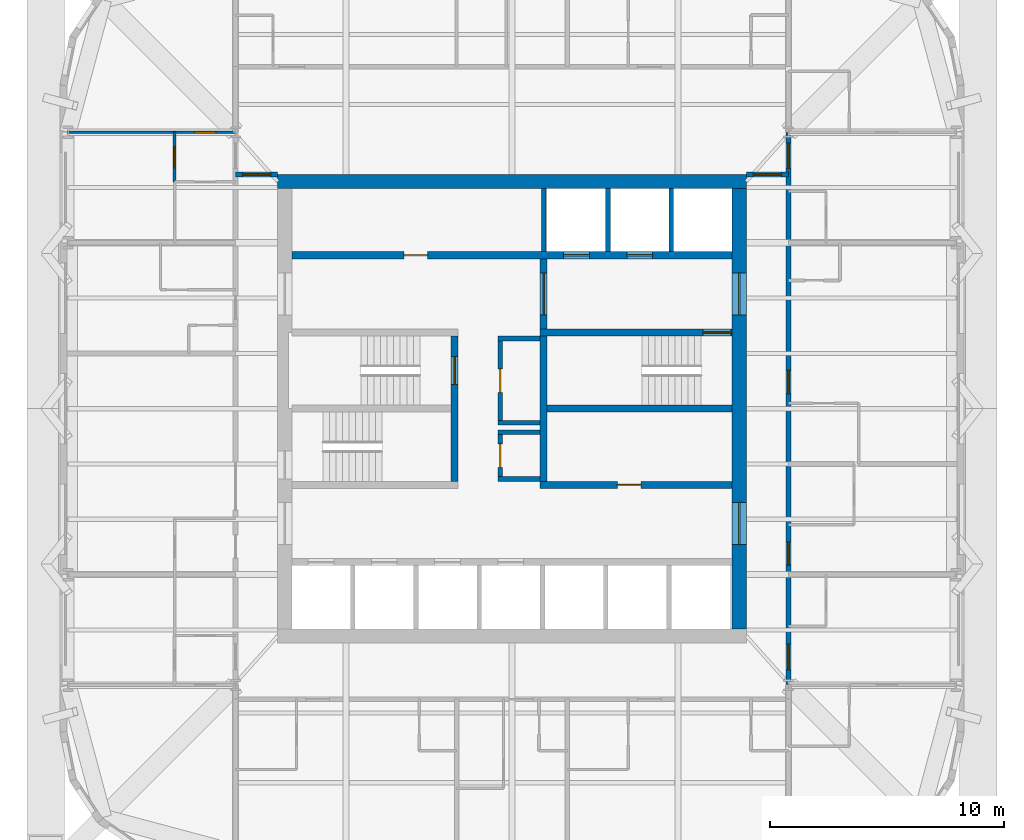
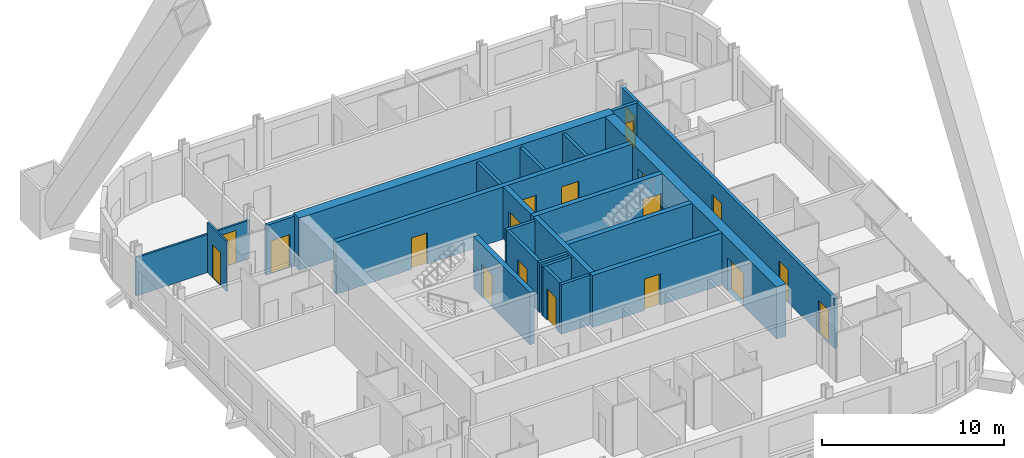
# One storey, part 5 of 9: 22 walls, 19 doors, 19 openings.
"""IFC4 building model written with IfcOpenShell, lengths in metres."""

from ifc_helpers import new_model, si_unit, direction, frame, frame_2d, origin, place, context, subcontext, project, spatial, rectangle, extrude, material, layer, layer_set, type_object, element, fill, save


model = new_model("IFC4")

# Units and contexts
model_context = context("Model", 3, precision=1e-05, world=origin(), true_north=direction((0.0, 1.0)))
body_context = subcontext(model_context, "Body", "Model", "MODEL_VIEW")
ifc_project = project(units=[si_unit("LENGTHUNIT", "METRE"), si_unit("AREAUNIT", "SQUARE_METRE"), si_unit("VOLUMEUNIT", "CUBIC_METRE"), si_unit("PLANEANGLEUNIT", "RADIAN"), si_unit("MASSUNIT", "GRAM", prefix="KILO")], contexts=[model_context])

# Site, building, storey
site_placement = place(None, origin())
site = spatial("IfcSite", under=ifc_project, at=site_placement, CompositionType="ELEMENT")
building_placement = place(site_placement, origin())
building = spatial("IfcBuilding", under=site, at=building_placement, Name="Turquesa Mirador Hotel Tower", CompositionType="ELEMENT")
storey_placement = place(building_placement, frame((0.0, 0.0, 161.800048828125)))
storey = spatial("IfcBuildingStorey", under=building, at=storey_placement, Name="L43", CompositionType="ELEMENT", Elevation=161.800048828125)

# Wall, openings, doors
ifc_material_1 = material(Name="Concrete C50/60", Category="concrete")
ifc_layer_1 = layer(ifc_material_1, 0.300048828125)
ifc_layer_set_1 = layer_set([ifc_layer_1], Name="CORE INNER WALL 300")
wall_type_1 = type_object("IfcWallType", Name="CORE INNER WALL 300", PredefinedType="SHEAR", material=ifc_layer_set_1)
wall_1_placement = place(storey_placement, frame((45.60009765625, 51.550048828125, 0.0), z_axis=(0.0, 0.0, 1.0), x_axis=(1.0, 0.0, 0.0)))
wall_1 = element("IfcWall", 1, at=wall_1_placement, inside=storey, type_object=wall_type_1, Name="Core wall NL", PredefinedType="SHEAR", context=body_context, shape_type="SweptSolid", body=[
    extrude(rectangle(XDim=18.7998046875, YDim=0.300048828125, at=frame_2d((9.39990234375, 0.0))), origin(), (0.0, 0.0, 1.0), 3.5),
])
opening_1_placement = place(wall_1_placement, frame((4.800048828125, 0.0, 0.0)))
opening_1 = element("IfcOpeningElement", 2, at=opening_1_placement, cuts=wall_1, Name="Opening D05", PredefinedType="OPENING", context=body_context, shape_type="SweptSolid", body=[
    extrude(rectangle(XDim=1.0, YDim=2.10009765625, at=frame_2d((0.5, 1.050048828125))), frame((0.0, 0.159912109375, 0.0), z_axis=(0.0, -1.0, 0.0), x_axis=(1.0, 0.0, 0.0)), (0.0, 0.0, 1.0), 0.320068359375),
])
opening_2_placement = place(wall_1_placement, frame((11.60009765625, 0.0, 0.0)))
opening_2 = element("IfcOpeningElement", 3, at=opening_2_placement, cuts=wall_1, Name="Opening LD", PredefinedType="OPENING", context=body_context, shape_type="SweptSolid", body=[
    extrude(rectangle(XDim=1.10009765625, YDim=2.199951171875, at=frame_2d((0.550048828125, 1.10009765625))), frame((0.0, 0.159912109375, 0.0), z_axis=(0.0, -1.0, 0.0), x_axis=(1.0, 0.0, 0.0)), (0.0, 0.0, 1.0), 0.320068359375),
])
opening_3_placement = place(wall_1_placement, frame((14.300048828125, 0.0, 0.0)))
opening_3 = element("IfcOpeningElement", 4, at=opening_3_placement, cuts=wall_1, Name="Opening LD", PredefinedType="OPENING", context=body_context, shape_type="SweptSolid", body=[
    extrude(rectangle(XDim=1.10009765625, YDim=2.199951171875, at=frame_2d((0.550048828125, 1.10009765625))), frame((0.0, 0.159912109375, 0.0), z_axis=(0.0, -1.0, 0.0), x_axis=(1.0, 0.0, 0.0)), (0.0, 0.0, 1.0), 0.320068359375),
])
ifc_material_2 = material(Name="Steel fire door", Category="steel")
door_type_1 = type_object("IfcDoorType", Name="DOOR 1000X2100 SERVICE", OperationType="SINGLE_SWING_LEFT", PredefinedType="DOOR", material=ifc_material_2)
door_1_placement = place(opening_1_placement, origin())
door_1 = element("IfcDoor", 5, at=door_1_placement, inside=storey, type_object=door_type_1, Name="Linen store door", OperationType="SINGLE_SWING_LEFT", OverallHeight=2.10009765625, OverallWidth=1.0, PredefinedType="DOOR", context=body_context, shape_type="SweptSolid", body=[
    extrude(rectangle(XDim=1.0, YDim=2.10009765625, at=frame_2d((0.5, 1.050048828125))), frame((0.0, 0.02490234375, 0.0), z_axis=(0.0, -1.0, 0.0), x_axis=(1.0, 0.0, 0.0)), (0.0, 0.0, 1.0), 0.050048828125),
])
fill(opening_1, door_1)
ifc_material_3 = material(Name="Stainless steel lift landing door", Category="steel")
door_type_2 = type_object("IfcDoorType", Name="LIFT LANDING DOOR 1100X2200", OperationType="SLIDING_TO_LEFT", PredefinedType="DOOR", material=ifc_material_3)
door_2_placement = place(opening_2_placement, origin())
door_2 = element("IfcDoor", 6, at=door_2_placement, inside=storey, type_object=door_type_2, Name="Lift S1 landing door", OperationType="SLIDING_TO_LEFT", OverallHeight=2.199951171875, OverallWidth=1.10009765625, PredefinedType="DOOR", context=body_context, shape_type="SweptSolid", body=[
    extrude(rectangle(XDim=1.10009765625, YDim=2.199951171875, at=frame_2d((0.550048828125, 1.10009765625))), frame((0.0, 0.02490234375, 0.0), z_axis=(0.0, -1.0, 0.0), x_axis=(1.0, 0.0, 0.0)), (0.0, 0.0, 1.0), 0.050048828125),
])
fill(opening_2, door_2)
door_3_placement = place(opening_3_placement, origin())
door_3 = element("IfcDoor", 7, at=door_3_placement, inside=storey, type_object=door_type_2, Name="Lift S2 landing door", OperationType="SLIDING_TO_LEFT", OverallHeight=2.199951171875, OverallWidth=1.10009765625, PredefinedType="DOOR", context=body_context, shape_type="SweptSolid", body=[
    extrude(rectangle(XDim=1.10009765625, YDim=2.199951171875, at=frame_2d((0.550048828125, 1.10009765625))), frame((0.0, 0.02490234375, 0.0), z_axis=(0.0, -1.0, 0.0), x_axis=(1.0, 0.0, 0.0)), (0.0, 0.0, 1.0), 0.050048828125),
])
fill(opening_3, door_3)

# Wall, opening, door
wall_2_placement = place(storey_placement, frame((56.199951171875, 48.25, 0.0), z_axis=(0.0, 0.0, 1.0), x_axis=(1.0, 0.0, 0.0)))
wall_2 = element("IfcWall", 8, at=wall_2_placement, inside=storey, type_object=wall_type_1, Name="Core wall MN-E", PredefinedType="SHEAR", context=body_context, shape_type="SweptSolid", body=[
    extrude(rectangle(XDim=8.199951171875, YDim=0.300048828125, at=frame_2d((4.10009765625, 0.0))), origin(), (0.0, 0.0, 1.0), 3.5),
])
opening_4_placement = place(wall_2_placement, frame((6.949951171875, 0.0, 0.0)))
opening_4 = element("IfcOpeningElement", 9, at=opening_4_placement, cuts=wall_2, Name="Opening D03", PredefinedType="OPENING", context=body_context, shape_type="SweptSolid", body=[
    extrude(rectangle(XDim=1.199951171875, YDim=2.199951171875, at=frame_2d((0.60009765625, 1.10009765625))), frame((0.0, 0.159912109375, 0.0), z_axis=(0.0, -1.0, 0.0), x_axis=(1.0, 0.0, 0.0)), (0.0, 0.0, 1.0), 0.320068359375),
])
ifc_material_4 = material(Name="Steel fire door", Category="steel")
door_type_3 = type_object("IfcDoorType", Name="DOOR 1200X2200 STAIR", OperationType="SINGLE_SWING_LEFT", PredefinedType="DOOR", material=ifc_material_4)
door_4_placement = place(opening_4_placement, origin())
door_4 = element("IfcDoor", 10, at=door_4_placement, inside=storey, type_object=door_type_3, Name="Stair ST3 door", OperationType="SINGLE_SWING_LEFT", OverallHeight=2.199951171875, OverallWidth=1.199951171875, PredefinedType="DOOR", context=body_context, shape_type="SweptSolid", body=[
    extrude(rectangle(XDim=1.199951171875, YDim=2.199951171875, at=frame_2d((0.60009765625, 1.10009765625))), frame((0.0, 0.02490234375, 0.0), z_axis=(0.0, -1.0, 0.0), x_axis=(1.0, 0.0, 0.0)), (0.0, 0.0, 1.0), 0.050048828125),
])
fill(opening_4, door_4)

wall_3_placement = place(storey_placement, frame((56.199951171875, 41.75, 0.0), z_axis=(0.0, 0.0, 1.0), x_axis=(1.0, 0.0, 0.0)))
wall_3 = element("IfcWall", 11, at=wall_3_placement, inside=storey, type_object=wall_type_1, Name="Core wall MS-E", PredefinedType="SHEAR", context=body_context, shape_type="SweptSolid", body=[
    extrude(rectangle(XDim=8.199951171875, YDim=0.300048828125, at=frame_2d((4.10009765625, 0.0))), origin(), (0.0, 0.0, 1.0), 3.5),
])
opening_5_placement = place(wall_3_placement, frame((3.300048828125, 0.0, 0.0)))
opening_5 = element("IfcOpeningElement", 12, at=opening_5_placement, cuts=wall_3, Name="Opening D05", PredefinedType="OPENING", context=body_context, shape_type="SweptSolid", body=[
    extrude(rectangle(XDim=1.0, YDim=2.10009765625, at=frame_2d((0.5, 1.050048828125))), frame((0.0, 0.159912109375, 0.0), z_axis=(0.0, -1.0, 0.0), x_axis=(1.0, 0.0, 0.0)), (0.0, 0.0, 1.0), 0.320068359375),
])
door_5_placement = place(opening_5_placement, origin())
door_5 = element("IfcDoor", 13, at=door_5_placement, inside=storey, type_object=door_type_1, Name="Housekeeping room door", OperationType="SINGLE_SWING_LEFT", OverallHeight=2.10009765625, OverallWidth=1.0, PredefinedType="DOOR", context=body_context, shape_type="SweptSolid", body=[
    extrude(rectangle(XDim=1.0, YDim=2.10009765625, at=frame_2d((0.5, 1.050048828125))), frame((0.0, 0.02490234375, 0.0), z_axis=(0.0, -1.0, 0.0), x_axis=(1.0, 0.0, 0.0)), (0.0, 0.0, 1.0), 0.050048828125),
])
fill(opening_5, door_5)

wall_4_placement = place(storey_placement, frame((52.550048828125, 41.89990234375, 0.0), z_axis=(0.0, 0.0, 1.0), x_axis=(0.0, 1.0, 0.0)))
wall_4 = element("IfcWall", 14, at=wall_4_placement, inside=storey, type_object=wall_type_1, Name="Core wall PW", PredefinedType="SHEAR", context=body_context, shape_type="SweptSolid", body=[
    extrude(rectangle(XDim=6.2001953125, YDim=0.300048828125, at=frame_2d((3.10009765625, 0.0))), origin(), (0.0, 0.0, 1.0), 3.5),
])
opening_6_placement = place(wall_4_placement, frame((4.125, 0.0, 0.0)))
opening_6 = element("IfcOpeningElement", 15, at=opening_6_placement, cuts=wall_4, Name="Opening D03", PredefinedType="OPENING", context=body_context, shape_type="SweptSolid", body=[
    extrude(rectangle(XDim=1.199951171875, YDim=2.199951171875, at=frame_2d((0.60009765625, 1.10009765625))), frame((0.0, 0.159912109375, 0.0), z_axis=(0.0, -1.0, 0.0), x_axis=(1.0, 0.0, 0.0)), (0.0, 0.0, 1.0), 0.320068359375),
])
door_6_placement = place(opening_6_placement, origin())
door_6 = element("IfcDoor", 16, at=door_6_placement, inside=storey, type_object=door_type_3, Name="Stair ST1 door", OperationType="SINGLE_SWING_LEFT", OverallHeight=2.199951171875, OverallWidth=1.199951171875, PredefinedType="DOOR", context=body_context, shape_type="SweptSolid", body=[
    extrude(rectangle(XDim=1.199951171875, YDim=2.199951171875, at=frame_2d((0.60009765625, 1.10009765625))), frame((0.0, 0.02490234375, 0.0), z_axis=(0.0, -1.0, 0.0), x_axis=(1.0, 0.0, 0.0)), (0.0, 0.0, 1.0), 0.050048828125),
])
fill(opening_6, door_6)

wall_5_placement = place(storey_placement, frame((56.35009765625, 41.89990234375, 0.0), z_axis=(0.0, 0.0, 1.0), x_axis=(0.0, 1.0, 0.0)))
wall_5 = element("IfcWall", 17, at=wall_5_placement, inside=storey, type_object=wall_type_1, Name="Core wall PE", PredefinedType="SHEAR", context=body_context, shape_type="SweptSolid", body=[
    extrude(rectangle(XDim=9.5, YDim=0.300048828125, at=frame_2d((4.75, 0.0))), origin(), (0.0, 0.0, 1.0), 3.5),
])
opening_7_placement = place(wall_5_placement, frame((7.10009765625, 0.0, 0.0)))
opening_7 = element("IfcOpeningElement", 18, at=opening_7_placement, cuts=wall_5, Name="Opening D04", PredefinedType="OPENING", context=body_context, shape_type="SweptSolid", body=[
    extrude(rectangle(XDim=1.800048828125, YDim=2.199951171875, at=frame_2d((0.89990234375, 1.10009765625))), frame((0.0, 0.159912109375, 0.0), z_axis=(0.0, -1.0, 0.0), x_axis=(1.0, 0.0, 0.0)), (0.0, 0.0, 1.0), 0.320068359375),
])
ifc_material_5 = material(Name="Steel fire door pair", Category="steel")
door_type_4 = type_object("IfcDoorType", Name="DOOR 1800X2200 PAIR", OperationType="DOUBLE_DOOR_SINGLE_SWING", PredefinedType="DOOR", material=ifc_material_5)
door_7_placement = place(opening_7_placement, origin())
door_7 = element("IfcDoor", 19, at=door_7_placement, inside=storey, type_object=door_type_4, Name="Firefighting lobby inner door", OperationType="DOUBLE_DOOR_SINGLE_SWING", OverallHeight=2.199951171875, OverallWidth=1.800048828125, PredefinedType="DOOR", context=body_context, shape_type="SweptSolid", body=[
    extrude(rectangle(XDim=1.800048828125, YDim=2.199951171875, at=frame_2d((0.89990234375, 1.10009765625))), frame((0.0, 0.02490234375, 0.0), z_axis=(0.0, -1.0, 0.0), x_axis=(1.0, 0.0, 0.0)), (0.0, 0.0, 1.0), 0.050048828125),
])
fill(opening_7, door_7)

# Walls
wall_6_placement = place(storey_placement, frame((56.5, 45.0, 0.0), z_axis=(0.0, 0.0, 1.0), x_axis=(1.0, 0.0, 0.0)))
element("IfcWall", 20, at=wall_6_placement, inside=storey, type_object=wall_type_1, Name="Core wall M0-E", PredefinedType="SHEAR", context=body_context, shape_type="SweptSolid", body=[
    extrude(rectangle(XDim=7.89990234375, YDim=0.300048828125, at=frame_2d((3.949951171875, 0.0))), origin(), (0.0, 0.0, 1.0), 3.5),
])
ifc_material_6 = material(Name="Concrete C50/60", Category="concrete")
ifc_layer_2 = layer(ifc_material_6, 0.60009765625)
ifc_layer_set_2 = layer_set([ifc_layer_2], Name="CORE WALL 600")
wall_type_2 = type_object("IfcWallType", Name="CORE WALL 600", PredefinedType="SHEAR", material=ifc_layer_set_2)
wall_7_placement = place(storey_placement, frame((45.0, 54.699951171875, 0.0), z_axis=(0.0, 0.0, 1.0), x_axis=(1.0, 0.0, 0.0)))
element("IfcWall", 21, at=wall_7_placement, inside=storey, type_object=wall_type_2, Name="Core wall N", PredefinedType="SHEAR", context=body_context, shape_type="SweptSolid", body=[
    extrude(rectangle(XDim=20.0, YDim=0.60009765625, at=frame_2d((10.0, 0.0))), origin(), (0.0, 0.0, 1.0), 3.5),
])

# Wall, openings, doors
wall_8_placement = place(storey_placement, frame((64.699951171875, 35.60009765625, 0.0), z_axis=(0.0, 0.0, 1.0), x_axis=(0.0, 1.0, 0.0)))
wall_8 = element("IfcWall", 22, at=wall_8_placement, inside=storey, type_object=wall_type_2, Name="Core wall E", PredefinedType="SHEAR", context=body_context, shape_type="SweptSolid", body=[
    extrude(rectangle(XDim=18.7998046875, YDim=0.60009765625, at=frame_2d((9.39990234375, 0.0))), origin(), (0.0, 0.0, 1.0), 3.5),
])
opening_8_placement = place(wall_8_placement, frame((13.39990234375, 0.0, 0.0)))
opening_8 = element("IfcOpeningElement", 23, at=opening_8_placement, cuts=wall_8, Name="Opening D04", PredefinedType="OPENING", context=body_context, shape_type="SweptSolid", body=[
    extrude(rectangle(XDim=1.800048828125, YDim=2.199951171875, at=frame_2d((0.89990234375, 1.10009765625))), frame((0.0, 0.31005859375, 0.0), z_axis=(0.0, -1.0, 0.0), x_axis=(1.0, 0.0, 0.0)), (0.0, 0.0, 1.0), 0.6201171875),
])
opening_9_placement = place(wall_8_placement, frame((3.60009765625, 0.0, 0.0)))
opening_9 = element("IfcOpeningElement", 24, at=opening_9_placement, cuts=wall_8, Name="Opening D04", PredefinedType="OPENING", context=body_context, shape_type="SweptSolid", body=[
    extrude(rectangle(XDim=1.800048828125, YDim=2.199951171875, at=frame_2d((0.89990234375, 1.10009765625))), frame((0.0, 0.31005859375, 0.0), z_axis=(0.0, -1.0, 0.0), x_axis=(1.0, 0.0, 0.0)), (0.0, 0.0, 1.0), 0.6201171875),
])
door_8_placement = place(opening_8_placement, origin())
door_8 = element("IfcDoor", 25, at=door_8_placement, inside=storey, type_object=door_type_4, Name="Firefighting lobby door", OperationType="DOUBLE_DOOR_SINGLE_SWING", OverallHeight=2.199951171875, OverallWidth=1.800048828125, PredefinedType="DOOR", context=body_context, shape_type="SweptSolid", body=[
    extrude(rectangle(XDim=1.800048828125, YDim=2.199951171875, at=frame_2d((0.89990234375, 1.10009765625))), frame((0.0, 0.02490234375, 0.0), z_axis=(0.0, -1.0, 0.0), x_axis=(1.0, 0.0, 0.0)), (0.0, 0.0, 1.0), 0.050048828125),
])
fill(opening_8, door_8)
door_9_placement = place(opening_9_placement, origin())
door_9 = element("IfcDoor", 26, at=door_9_placement, inside=storey, type_object=door_type_4, Name="South lift lobby door", OperationType="DOUBLE_DOOR_SINGLE_SWING", OverallHeight=2.199951171875, OverallWidth=1.800048828125, PredefinedType="DOOR", context=body_context, shape_type="SweptSolid", body=[
    extrude(rectangle(XDim=1.800048828125, YDim=2.199951171875, at=frame_2d((0.89990234375, 1.10009765625))), frame((0.0, 0.02490234375, 0.0), z_axis=(0.0, -1.0, 0.0), x_axis=(1.0, 0.0, 0.0)), (0.0, 0.0, 1.0), 0.050048828125),
])
fill(opening_9, door_9)

# Wall, opening, door
ifc_material_7 = material(Name="Fire-rated gypsum board on steel studs", Category="steel")
ifc_layer_3 = layer(ifc_material_7, 0.199951171875)
ifc_layer_set_3 = layer_set([ifc_layer_3], Name="CORRIDOR WALL 200")
wall_type_3 = type_object("IfcWallType", Name="CORRIDOR WALL 200", PredefinedType="PARTITIONING", material=ifc_layer_set_3)
wall_9_placement = place(storey_placement, frame((43.199951171875, 55.0, 0.0), z_axis=(0.0, 0.0, 1.0), x_axis=(1.0, 0.0, 0.0)))
wall_9 = element("IfcWall", 27, at=wall_9_placement, inside=storey, type_object=wall_type_3, Name="Partition L43 021", PredefinedType="PARTITIONING", context=body_context, shape_type="SweptSolid", body=[
    extrude(rectangle(XDim=1.800048828125, YDim=0.199951171875, at=frame_2d((0.89990234375, 0.0))), origin(), (0.0, 0.0, 1.0), 3.329833984375),
])
opening_10_placement = place(wall_9_placement, frame((0.300048828125, 0.0, 0.0)))
opening_10 = element("IfcOpeningElement", 28, at=opening_10_placement, cuts=wall_9, Name="Opening D19", PredefinedType="OPENING", context=body_context, shape_type="SweptSolid", body=[
    extrude(rectangle(XDim=1.199951171875, YDim=2.199951171875, at=frame_2d((0.60009765625, 1.10009765625))), frame((0.0, 0.10986328125, 0.0), z_axis=(0.0, -1.0, 0.0), x_axis=(1.0, 0.0, 0.0)), (0.0, 0.0, 1.0), 0.219970703125),
])
ifc_material_8 = material(Name="Steel glazed fire door", Category="steel")
door_type_5 = type_object("IfcDoorType", Name="DOOR 1200X2200 FIRE DOOR GLAZED", OperationType="SINGLE_SWING_LEFT", PredefinedType="DOOR", material=ifc_material_8)
door_10_placement = place(opening_10_placement, origin())
door_10 = element("IfcDoor", 29, at=door_10_placement, inside=storey, type_object=door_type_5, Name="Door L43-C03", OperationType="SINGLE_SWING_LEFT", OverallHeight=2.199951171875, OverallWidth=1.199951171875, PredefinedType="DOOR", context=body_context, shape_type="SweptSolid", body=[
    extrude(rectangle(XDim=1.199951171875, YDim=2.199951171875, at=frame_2d((0.60009765625, 1.10009765625))), frame((0.0, 0.02490234375, 0.0), z_axis=(0.0, -1.0, 0.0), x_axis=(1.0, 0.0, 0.0)), (0.0, 0.0, 1.0), 0.050048828125),
])
fill(opening_10, door_10)

wall_10_placement = place(storey_placement, frame((65.0, 55.0, 0.0), z_axis=(0.0, 0.0, 1.0), x_axis=(1.0, 0.0, 0.0)))
wall_10 = element("IfcWall", 30, at=wall_10_placement, inside=storey, type_object=wall_type_3, Name="Partition L43 022", PredefinedType="PARTITIONING", context=body_context, shape_type="SweptSolid", body=[
    extrude(rectangle(XDim=1.800048828125, YDim=0.199951171875, at=frame_2d((0.89990234375, 0.0))), origin(), (0.0, 0.0, 1.0), 3.329833984375),
])
opening_11_placement = place(wall_10_placement, frame((0.300048828125, 0.0, 0.0)))
opening_11 = element("IfcOpeningElement", 31, at=opening_11_placement, cuts=wall_10, Name="Opening D19", PredefinedType="OPENING", context=body_context, shape_type="SweptSolid", body=[
    extrude(rectangle(XDim=1.199951171875, YDim=2.199951171875, at=frame_2d((0.60009765625, 1.10009765625))), frame((0.0, 0.10986328125, 0.0), z_axis=(0.0, -1.0, 0.0), x_axis=(1.0, 0.0, 0.0)), (0.0, 0.0, 1.0), 0.219970703125),
])
door_11_placement = place(opening_11_placement, origin())
door_11 = element("IfcDoor", 32, at=door_11_placement, inside=storey, type_object=door_type_5, Name="Door L43-C03-1", OperationType="SINGLE_SWING_LEFT", OverallHeight=2.199951171875, OverallWidth=1.199951171875, PredefinedType="DOOR", context=body_context, shape_type="SweptSolid", body=[
    extrude(rectangle(XDim=1.199951171875, YDim=2.199951171875, at=frame_2d((0.60009765625, 1.10009765625))), frame((0.0, 0.02490234375, 0.0), z_axis=(0.0, -1.0, 0.0), x_axis=(1.0, 0.0, 0.0)), (0.0, 0.0, 1.0), 0.050048828125),
])
fill(opening_11, door_11)

# Wall, openings, doors
wall_11_placement = place(storey_placement, frame((66.800048828125, 33.219970703125, 0.0), z_axis=(0.0, 0.0, 1.0), x_axis=(0.0, 1.0, 0.0)))
wall_11 = element("IfcWall", 33, at=wall_11_placement, inside=storey, type_object=wall_type_3, Name="Partition L43 058", PredefinedType="PARTITIONING", context=body_context, shape_type="SweptSolid", body=[
    extrude(rectangle(XDim=23.56005859375, YDim=0.199951171875, at=frame_2d((11.780029296875, 0.0))), origin(), (0.0, 0.0, 1.0), 3.329833984375),
])
opening_12_placement = place(wall_11_placement, frame((5.10009765625, 0.0, 0.0)))
opening_12 = element("IfcOpeningElement", 34, at=opening_12_placement, cuts=wall_11, Name="Opening D01", PredefinedType="OPENING", context=body_context, shape_type="SweptSolid", body=[
    extrude(rectangle(XDim=1.0, YDim=2.199951171875, at=frame_2d((0.5, 1.10009765625))), frame((0.0, 0.10986328125, 0.0), z_axis=(0.0, -1.0, 0.0), x_axis=(1.0, 0.0, 0.0)), (0.0, 0.0, 1.0), 0.219970703125),
])
opening_13_placement = place(wall_11_placement, frame((12.419921875, 0.0, 0.0)))
opening_13 = element("IfcOpeningElement", 35, at=opening_13_placement, cuts=wall_11, Name="Opening D01", PredefinedType="OPENING", context=body_context, shape_type="SweptSolid", body=[
    extrude(rectangle(XDim=1.0, YDim=2.199951171875, at=frame_2d((0.5, 1.10009765625))), frame((0.0, 0.10986328125, 0.0), z_axis=(0.0, -1.0, 0.0), x_axis=(1.0, 0.0, 0.0)), (0.0, 0.0, 1.0), 0.219970703125),
])
opening_14_placement = place(wall_11_placement, frame((22.030029296875, 0.0, 0.0)))
opening_14 = element("IfcOpeningElement", 36, at=opening_14_placement, cuts=wall_11, Name="Opening D15", PredefinedType="OPENING", context=body_context, shape_type="SweptSolid", body=[
    extrude(rectangle(XDim=1.10009765625, YDim=2.199951171875, at=frame_2d((0.550048828125, 1.10009765625))), frame((0.0, 0.10986328125, 0.0), z_axis=(0.0, -1.0, 0.0), x_axis=(1.0, 0.0, 0.0)), (0.0, 0.0, 1.0), 0.219970703125),
])
opening_15_placement = place(wall_11_placement, frame((0.6298828125, 0.0, 0.0)))
opening_15 = element("IfcOpeningElement", 37, at=opening_15_placement, cuts=wall_11, Name="Opening D15", PredefinedType="OPENING", context=body_context, shape_type="SweptSolid", body=[
    extrude(rectangle(XDim=1.10009765625, YDim=2.199951171875, at=frame_2d((0.550048828125, 1.10009765625))), frame((0.0, 0.10986328125, 0.0), z_axis=(0.0, -1.0, 0.0), x_axis=(1.0, 0.0, 0.0)), (0.0, 0.0, 1.0), 0.219970703125),
])
ifc_material_9 = material(Name="Timber veneered fire door", Category="wood")
door_type_6 = type_object("IfcDoorType", Name="DOOR 1000X2200 GUEST ENTRY", OperationType="SINGLE_SWING_LEFT", PredefinedType="DOOR", material=ifc_material_9)
door_12_placement = place(opening_12_placement, origin())
door_12 = element("IfcDoor", 38, at=door_12_placement, inside=storey, type_object=door_type_6, Name="Door 4306", OperationType="SINGLE_SWING_LEFT", OverallHeight=2.199951171875, OverallWidth=1.0, PredefinedType="DOOR", context=body_context, shape_type="SweptSolid", body=[
    extrude(rectangle(XDim=1.0, YDim=2.199951171875, at=frame_2d((0.5, 1.10009765625))), frame((0.0, 0.02490234375, 0.0), z_axis=(0.0, -1.0, 0.0), x_axis=(1.0, 0.0, 0.0)), (0.0, 0.0, 1.0), 0.050048828125),
])
fill(opening_12, door_12)
door_13_placement = place(opening_13_placement, origin())
door_13 = element("IfcDoor", 39, at=door_13_placement, inside=storey, type_object=door_type_6, Name="Door 4307", OperationType="SINGLE_SWING_LEFT", OverallHeight=2.199951171875, OverallWidth=1.0, PredefinedType="DOOR", context=body_context, shape_type="SweptSolid", body=[
    extrude(rectangle(XDim=1.0, YDim=2.199951171875, at=frame_2d((0.5, 1.10009765625))), frame((0.0, 0.02490234375, 0.0), z_axis=(0.0, -1.0, 0.0), x_axis=(1.0, 0.0, 0.0)), (0.0, 0.0, 1.0), 0.050048828125),
])
fill(opening_13, door_13)
ifc_material_10 = material(Name="Timber veneered fire door", Category="wood")
door_type_7 = type_object("IfcDoorType", Name="DOOR 1100X2200 SUITE ENTRY", OperationType="SINGLE_SWING_LEFT", PredefinedType="DOOR", material=ifc_material_10)
door_14_placement = place(opening_14_placement, origin())
door_14 = element("IfcDoor", 40, at=door_14_placement, inside=storey, type_object=door_type_7, Name="Door 4309", OperationType="SINGLE_SWING_LEFT", OverallHeight=2.199951171875, OverallWidth=1.10009765625, PredefinedType="DOOR", context=body_context, shape_type="SweptSolid", body=[
    extrude(rectangle(XDim=1.10009765625, YDim=2.199951171875, at=frame_2d((0.550048828125, 1.10009765625))), frame((0.0, 0.02490234375, 0.0), z_axis=(0.0, -1.0, 0.0), x_axis=(1.0, 0.0, 0.0)), (0.0, 0.0, 1.0), 0.050048828125),
])
fill(opening_14, door_14)
door_15_placement = place(opening_15_placement, origin())
door_15 = element("IfcDoor", 41, at=door_15_placement, inside=storey, type_object=door_type_7, Name="Door 4312", OperationType="SINGLE_SWING_LEFT", OverallHeight=2.199951171875, OverallWidth=1.10009765625, PredefinedType="DOOR", context=body_context, shape_type="SweptSolid", body=[
    extrude(rectangle(XDim=1.10009765625, YDim=2.199951171875, at=frame_2d((0.550048828125, 1.10009765625))), frame((0.0, 0.02490234375, 0.0), z_axis=(0.0, -1.0, 0.0), x_axis=(1.0, 0.0, 0.0)), (0.0, 0.0, 1.0), 0.050048828125),
])
fill(opening_15, door_15)

# Wall, opening, door
ifc_material_11 = material(Name="Fire-rated gypsum board on steel studs", Category="steel")
ifc_layer_4 = layer(ifc_material_11, 0.199951171875)
ifc_layer_set_4 = layer_set([ifc_layer_4], Name="FIRE PARTITION 200")
wall_type_4 = type_object("IfcWallType", Name="FIRE PARTITION 200", PredefinedType="PARTITIONING", material=ifc_layer_set_4)
wall_12_placement = place(storey_placement, frame((54.5, 42.0, 0.0), z_axis=(0.0, 0.0, 1.0), x_axis=(0.0, 1.0, 0.0)))
wall_12 = element("IfcWall", 42, at=wall_12_placement, inside=storey, type_object=wall_type_4, Name="Partition L43 BO W", PredefinedType="PARTITIONING", context=body_context, shape_type="SweptSolid", body=[
    extrude(rectangle(XDim=2.0, YDim=0.199951171875, at=frame_2d((1.0, 0.0))), origin(), (0.0, 0.0, 1.0), 3.329833984375),
])
opening_16_placement = place(wall_12_placement, frame((0.5, 0.0, 0.0)))
opening_16 = element("IfcOpeningElement", 43, at=opening_16_placement, cuts=wall_12, Name="Opening D05", PredefinedType="OPENING", context=body_context, shape_type="SweptSolid", body=[
    extrude(rectangle(XDim=1.0, YDim=2.10009765625, at=frame_2d((0.5, 1.050048828125))), frame((0.0, 0.10986328125, 0.0), z_axis=(0.0, -1.0, 0.0), x_axis=(1.0, 0.0, 0.0)), (0.0, 0.0, 1.0), 0.219970703125),
])
door_16_placement = place(opening_16_placement, origin())
door_16 = element("IfcDoor", 44, at=door_16_placement, inside=storey, type_object=door_type_1, Name="Butler's pantry door", OperationType="SINGLE_SWING_LEFT", OverallHeight=2.10009765625, OverallWidth=1.0, PredefinedType="DOOR", context=body_context, shape_type="SweptSolid", body=[
    extrude(rectangle(XDim=1.0, YDim=2.10009765625, at=frame_2d((0.5, 1.050048828125))), frame((0.0, 0.02490234375, 0.0), z_axis=(0.0, -1.0, 0.0), x_axis=(1.0, 0.0, 0.0)), (0.0, 0.0, 1.0), 0.050048828125),
])
fill(opening_16, door_16)

# Walls
for number, where, z_axis, x_axis, name in (
    (45, (54.39990234375, 42.0, 0.0), (0.0, 0.0, 1.0), (1.0, 0.0, 0.0), "Partition L43 BO S"),
    (46, (54.39990234375, 44.0, 0.0), (0.0, 0.0, 1.0), (1.0, 0.0, 0.0), "Partition L43 BO N"),
):
    element("IfcWall", number, at=place(storey_placement, frame(where, z_axis=z_axis, x_axis=x_axis)), inside=storey, type_object=wall_type_4, Name=name, PredefinedType="PARTITIONING", context=body_context, shape_type="SweptSolid", body=[
        extrude(rectangle(XDim=1.800048828125, YDim=0.199951171875, at=frame_2d((0.89990234375, 0.0))), origin(), (0.0, 0.0, 1.0), 3.329833984375),
    ])

# Wall, opening, door
wall_13_placement = place(storey_placement, frame((54.5, 44.39990234375, 0.0), z_axis=(0.0, 0.0, 1.0), x_axis=(0.0, 1.0, 0.0)))
wall_13 = element("IfcWall", 47, at=wall_13_placement, inside=storey, type_object=wall_type_4, Name="Partition L43 BP W", PredefinedType="PARTITIONING", context=body_context, shape_type="SweptSolid", body=[
    extrude(rectangle(XDim=3.60009765625, YDim=0.199951171875, at=frame_2d((1.800048828125, 0.0))), origin(), (0.0, 0.0, 1.0), 3.329833984375),
])
opening_17_placement = place(wall_13_placement, frame((1.300048828125, 0.0, 0.0)))
opening_17 = element("IfcOpeningElement", 48, at=opening_17_placement, cuts=wall_13, Name="Opening D05", PredefinedType="OPENING", context=body_context, shape_type="SweptSolid", body=[
    extrude(rectangle(XDim=1.0, YDim=2.10009765625, at=frame_2d((0.5, 1.050048828125))), frame((0.0, 0.10986328125, 0.0), z_axis=(0.0, -1.0, 0.0), x_axis=(1.0, 0.0, 0.0)), (0.0, 0.0, 1.0), 0.219970703125),
])
door_17_placement = place(opening_17_placement, origin())
door_17 = element("IfcDoor", 49, at=door_17_placement, inside=storey, type_object=door_type_1, Name="Lounge pantry door", OperationType="SINGLE_SWING_LEFT", OverallHeight=2.10009765625, OverallWidth=1.0, PredefinedType="DOOR", context=body_context, shape_type="SweptSolid", body=[
    extrude(rectangle(XDim=1.0, YDim=2.10009765625, at=frame_2d((0.5, 1.050048828125))), frame((0.0, 0.02490234375, 0.0), z_axis=(0.0, -1.0, 0.0), x_axis=(1.0, 0.0, 0.0)), (0.0, 0.0, 1.0), 0.050048828125),
])
fill(opening_17, door_17)

# Walls
for number, where, z_axis, x_axis, name in (
    (50, (54.39990234375, 44.39990234375, 0.0), (0.0, 0.0, 1.0), (1.0, 0.0, 0.0), "Partition L43 BP S"),
    (51, (54.39990234375, 48.0, 0.0), (0.0, 0.0, 1.0), (1.0, 0.0, 0.0), "Partition L43 BP N"),
):
    element("IfcWall", number, at=place(storey_placement, frame(where, z_axis=z_axis, x_axis=x_axis)), inside=storey, type_object=wall_type_4, Name=name, PredefinedType="PARTITIONING", context=body_context, shape_type="SweptSolid", body=[
        extrude(rectangle(XDim=1.800048828125, YDim=0.199951171875, at=frame_2d((0.89990234375, 0.0))), origin(), (0.0, 0.0, 1.0), 3.329833984375),
    ])
ifc_material_12 = material(Name="Fire-rated gypsum shaft wall on steel studs", Category="steel")
ifc_layer_5 = layer(ifc_material_12, 0.199951171875)
ifc_layer_set_5 = layer_set([ifc_layer_5], Name="LIFT SHAFT DIVIDER 200")
wall_type_5 = type_object("IfcWallType", Name="LIFT SHAFT DIVIDER 200", PredefinedType="PARTITIONING", material=ifc_layer_set_5)
for number, where, z_axis, x_axis, name in (
    (52, (59.10009765625, 51.699951171875, 0.0), (0.0, 0.0, 1.0), (0.0, 1.0, 0.0), "Lift shaft divider"),
    (53, (61.800048828125, 51.699951171875, 0.0), (0.0, 0.0, 1.0), (0.0, 1.0, 0.0), "Lift shaft divider"),
    (54, (56.35009765625, 51.699951171875, 0.0), (0.0, 0.0, 1.0), (0.0, 1.0, 0.0), "Lift shaft divider"),
):
    element("IfcWall", number, at=place(storey_placement, frame(where, z_axis=z_axis, x_axis=x_axis)), inside=storey, type_object=wall_type_5, Name=name, PredefinedType="PARTITIONING", context=body_context, shape_type="SweptSolid", body=[
        extrude(rectangle(XDim=2.699951171875, YDim=0.199951171875, at=frame_2d((1.35009765625, 0.0))), origin(), (0.0, 0.0, 1.0), 3.329833984375),
    ])

# Wall, opening, door
ifc_material_13 = material(Name="Acoustic gypsum board on steel studs", Category="steel")
ifc_layer_6 = layer(ifc_material_13, 0.125)
ifc_layer_set_6 = layer_set([ifc_layer_6], Name="SUITE PARTITION 125")
wall_type_6 = type_object("IfcWallType", Name="SUITE PARTITION 125", PredefinedType="PARTITIONING", material=ifc_layer_set_6)
wall_14_placement = place(storey_placement, frame((36.0, 56.800048828125, 0.0), z_axis=(0.0, 0.0, 1.0), x_axis=(1.0, 0.0, 0.0)))
wall_14 = element("IfcWall", 55, at=wall_14_placement, inside=storey, type_object=wall_type_6, Name="Partition L43 024", PredefinedType="PARTITIONING", context=body_context, shape_type="SweptSolid", body=[
    extrude(rectangle(XDim=7.199951171875, YDim=0.125, at=frame_2d((3.60009765625, 0.0))), origin(), (0.0, 0.0, 1.0), 2.572998046875),
])
opening_18_placement = place(wall_14_placement, frame((5.449951171875, 0.0, 0.0)))
opening_18 = element("IfcOpeningElement", 56, at=opening_18_placement, cuts=wall_14, Name="Opening D17", PredefinedType="OPENING", context=body_context, shape_type="SweptSolid", body=[
    extrude(rectangle(XDim=0.89990234375, YDim=2.199951171875, at=frame_2d((0.449951171875, 1.10009765625))), frame((0.0, 0.072509765625, 0.0), z_axis=(0.0, -1.0, 0.0), x_axis=(1.0, 0.0, 0.0)), (0.0, 0.0, 1.0), 0.14501953125),
])
ifc_material_14 = material(Name="Timber veneered door", Category="wood")
door_type_8 = type_object("IfcDoorType", Name="DOOR 900X2200 SUITE INTERNAL", OperationType="SINGLE_SWING_LEFT", PredefinedType="DOOR", material=ifc_material_14)
door_18_placement = place(opening_18_placement, origin())
door_18 = element("IfcDoor", 57, at=door_18_placement, inside=storey, type_object=door_type_8, Name="Door 4310", OperationType="SINGLE_SWING_LEFT", OverallHeight=2.199951171875, OverallWidth=0.89990234375, PredefinedType="DOOR", context=body_context, shape_type="SweptSolid", body=[
    extrude(rectangle(XDim=0.89990234375, YDim=2.199951171875, at=frame_2d((0.449951171875, 1.10009765625))), frame((0.0, 0.02490234375, 0.0), z_axis=(0.0, -1.0, 0.0), x_axis=(1.0, 0.0, 0.0)), (0.0, 0.0, 1.0), 0.050048828125),
])
fill(opening_18, door_18)

wall_15_placement = place(storey_placement, frame((40.60009765625, 54.679931640625, 0.0), z_axis=(0.0, 0.0, 1.0), x_axis=(0.0, 1.0, 0.0)))
wall_15 = element("IfcWall", 58, at=wall_15_placement, inside=storey, type_object=wall_type_6, Name="Partition L43 049", PredefinedType="PARTITIONING", context=body_context, shape_type="SweptSolid", body=[
    extrude(rectangle(XDim=2.1201171875, YDim=0.125, at=frame_2d((1.06005859375, 0.0))), origin(), (0.0, 0.0, 1.0), 3.329833984375),
])
opening_19_placement = place(wall_15_placement, frame((0.610107421875, 0.0, 0.0)))
opening_19 = element("IfcOpeningElement", 59, at=opening_19_placement, cuts=wall_15, Name="Opening D17", PredefinedType="OPENING", context=body_context, shape_type="SweptSolid", body=[
    extrude(rectangle(XDim=0.89990234375, YDim=2.199951171875, at=frame_2d((0.449951171875, 1.10009765625))), frame((0.0, 0.072509765625, 0.0), z_axis=(0.0, -1.0, 0.0), x_axis=(1.0, 0.0, 0.0)), (0.0, 0.0, 1.0), 0.14501953125),
])
door_19_placement = place(opening_19_placement, origin())
door_19 = element("IfcDoor", 60, at=door_19_placement, inside=storey, type_object=door_type_8, Name="Door 4310R", OperationType="SINGLE_SWING_LEFT", OverallHeight=2.199951171875, OverallWidth=0.89990234375, PredefinedType="DOOR", context=body_context, shape_type="SweptSolid", body=[
    extrude(rectangle(XDim=0.89990234375, YDim=2.199951171875, at=frame_2d((0.449951171875, 1.10009765625))), frame((0.0, 0.02490234375, 0.0), z_axis=(0.0, -1.0, 0.0), x_axis=(1.0, 0.0, 0.0)), (0.0, 0.0, 1.0), 0.050048828125),
])
fill(opening_19, door_19)

save(model, "model.ifc")
